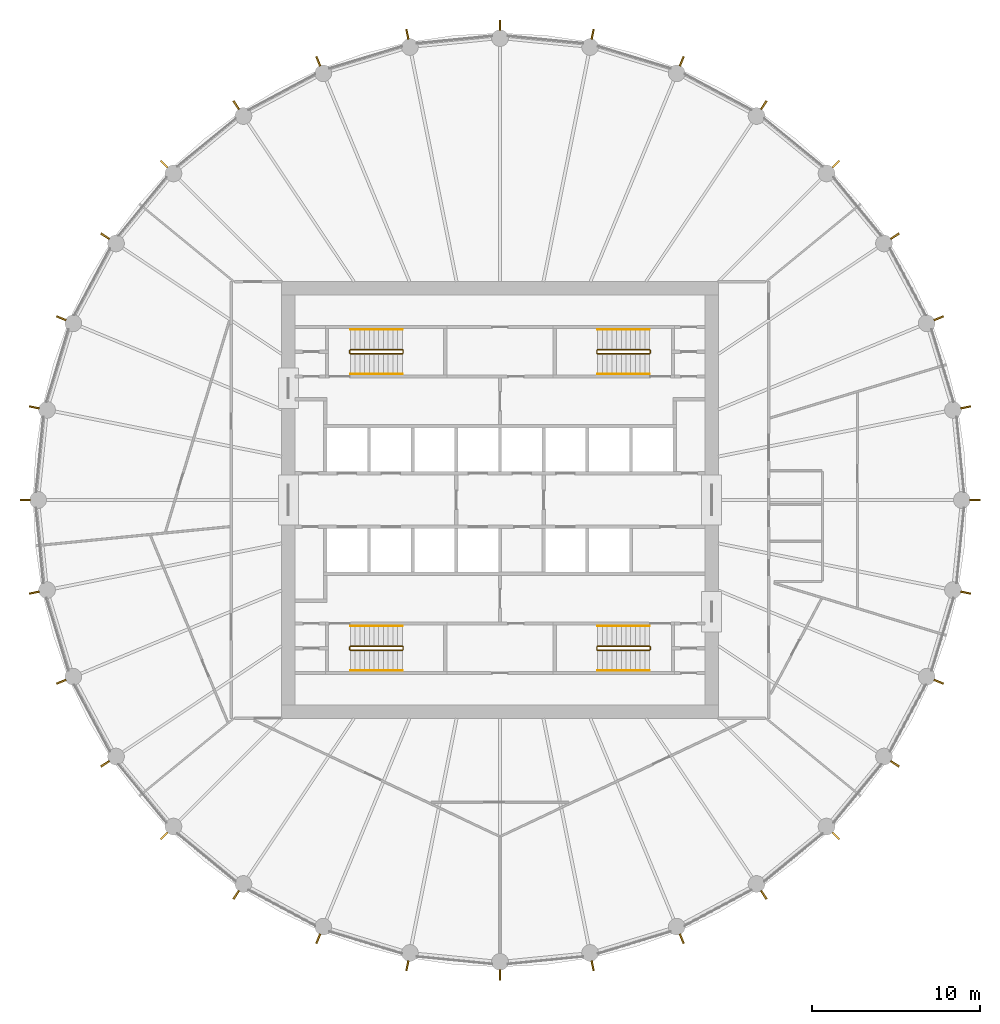
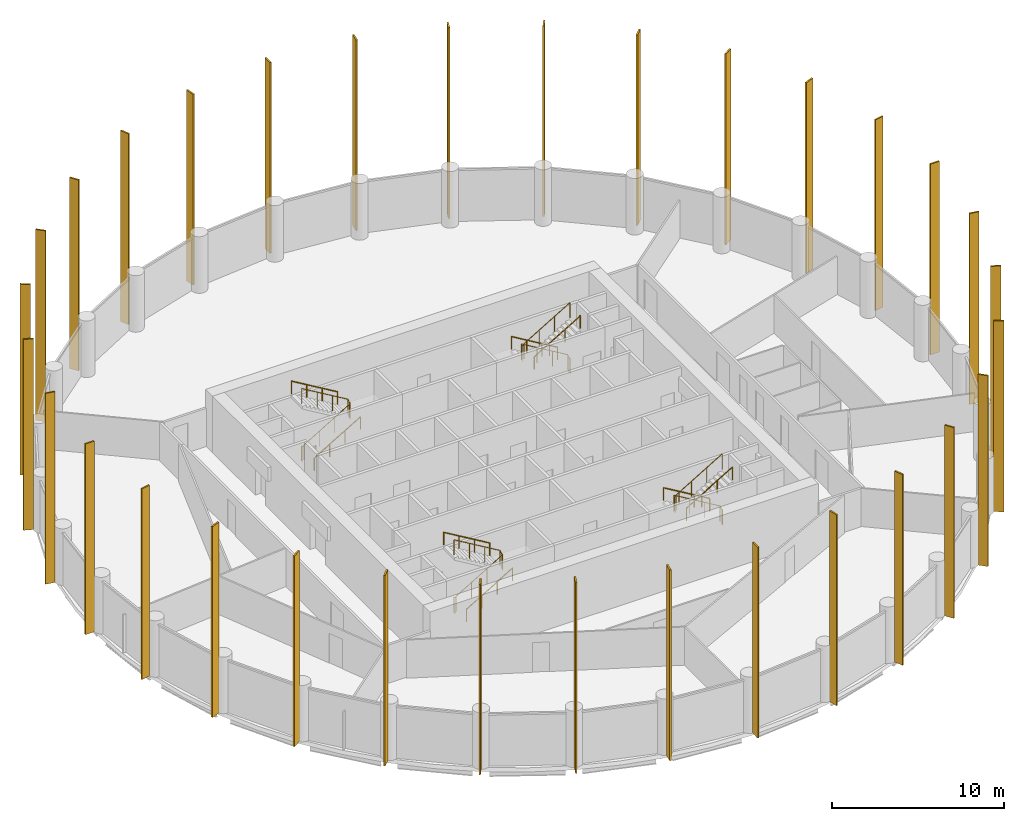
# One storey, part 8 of 8: 32 shading devices, 12 railings.
"""IFC4 building model written with IfcOpenShell, lengths in metres."""

import ifcopenshell
import ifcopenshell.guid

model = None  # the IFC model being written
_history = None  # IfcOwnerHistory: only IFC2X3 demands one
_inside = {}  # id of a spatial element -> (the spatial element, [elements in it])
_under = {}  # id of a project, library or spatial element -> (it, [spatial elements below it])
_declared = {}  # id of a project -> (the project, [libraries it declares])
_typed = {}  # id of a type object -> (the type object, [elements of that type])
_made_of = {}  # id of a material, layer set ... -> (it, [elements and type objects made of it])


def new_model(schema):
    """Start an empty IFC model of exactly this schema.

    Asked for "IFC4X3", IfcOpenShell would pick the latest addendum, in which some entities
    have other attributes; the version numbers below select the first issue.
    IFC2X3 requires an IfcOwnerHistory on every rooted entity: one is made here for all.
    """
    global model, _history
    if schema == "IFC4X3":
        model = ifcopenshell.file(schema_version=(4, 3, 0, 0))
    else:
        model = ifcopenshell.file(schema=schema)
    _inside.clear()
    _under.clear()
    _declared.clear()
    _typed.clear()
    _made_of.clear()
    _history = None
    if model.schema == "IFC2X3":
        org = make("IfcOrganization", Name="unknown")
        user = make(
            "IfcPersonAndOrganization",
            ThePerson=make("IfcPerson", FamilyName="unknown"),
            TheOrganization=org,
        )
        app = make(
            "IfcApplication",
            ApplicationDeveloper=org,
            Version="unknown",
            ApplicationFullName="unknown",
            ApplicationIdentifier="unknown",
        )
        _history = make(
            "IfcOwnerHistory",
            OwningUser=user,
            OwningApplication=app,
            ChangeAction="ADDED",
            CreationDate=0,
        )
    return model


def make(cls, **values):
    """One entity of the class cls with the attributes given. An attribute that is None is left unset."""
    return model.create_entity(
        cls, **{name: value for name, value in values.items() if value is not None}
    )


def rooted(cls, **values):
    """An entity with a GlobalId (a new one), such as an element, a storey or a relation."""
    return make(cls, GlobalId=ifcopenshell.guid.new(), OwnerHistory=_history, **values)


def si_unit(unit_type, name, prefix=None):
    """IfcSIUnit, for example si_unit("LENGTHUNIT", "METRE", prefix="MILLI")."""
    return make("IfcSIUnit", UnitType=unit_type, Prefix=prefix, Name=name)


def assignment(units):
    """IfcUnitAssignment: the units of a project."""
    return None if units is None else make("IfcUnitAssignment", Units=units)


def point(xyz):
    """IfcCartesianPoint."""
    return None if xyz is None else make("IfcCartesianPoint", Coordinates=xyz)


def direction(xyz):
    """IfcDirection."""
    return None if xyz is None else make("IfcDirection", DirectionRatios=xyz)


def frame(location, z_axis=None, x_axis=None):
    """IfcAxis2Placement3D, a coordinate frame: its origin and axes. An axis left out is left unset."""
    return make(
        "IfcAxis2Placement3D",
        Location=point(location),
        Axis=direction(z_axis),
        RefDirection=direction(x_axis),
    )


def frame_2d(location, x_axis=None):
    """IfcAxis2Placement2D, a coordinate frame in the plane: its origin and x axis."""
    return make(
        "IfcAxis2Placement2D", Location=point(location), RefDirection=direction(x_axis)
    )


def origin():
    """The frame at (0, 0, 0) with its axes left unset."""
    return frame((0.0, 0.0, 0.0))


def origin_2d():
    """The frame at (0, 0) in the plane with its x axis left unset."""
    return frame_2d((0.0, 0.0))


def place(relative_to, where):
    """IfcLocalPlacement: puts the frame where relative to a parent placement (None: the world)."""
    return make(
        "IfcLocalPlacement", PlacementRelTo=relative_to, RelativePlacement=where
    )


def context(
    kind, dimensions, precision=None, world=None, true_north=None, identifier=None
):
    """IfcGeometricRepresentationContext, for example the 3D "Model" context."""
    return make(
        "IfcGeometricRepresentationContext",
        ContextIdentifier=identifier,
        ContextType=kind,
        CoordinateSpaceDimension=dimensions,
        Precision=precision,
        WorldCoordinateSystem=world,
        TrueNorth=true_north,
    )


def subcontext(parent, identifier, kind, view, scale=None):
    """IfcGeometricRepresentationSubContext, for example "Body" below "Model"."""
    return make(
        "IfcGeometricRepresentationSubContext",
        ContextIdentifier=identifier,
        ContextType=kind,
        ParentContext=parent,
        TargetScale=scale,
        TargetView=view,
    )


def project(units=None, contexts=None):
    """IfcProject with its units and contexts."""
    return rooted(
        "IfcProject",
        Name="project",
        RepresentationContexts=contexts,
        UnitsInContext=assignment(units),
    )


def spatial(cls, under=None, at=None, **own):
    """A site, building, storey or space (cls), placed at a placement, below another one or the project."""
    s = rooted(cls, ObjectPlacement=at, **own)
    if under is not None:
        _under.setdefault(under.id(), (under, []))[1].append(s)
    return s


def profile(cls, at=None, kind="AREA", **sizes):
    """A parametric profile (cls). Its sizes go by their IFC names, for example OverallWidth=200.0."""
    return make(cls, ProfileType=kind, Position=at, **sizes)


def rectangle(**sizes):
    """IfcRectangleProfileDef."""
    return profile("IfcRectangleProfileDef", **sizes)


def circle(**sizes):
    """IfcCircleProfileDef."""
    return profile("IfcCircleProfileDef", **sizes)


def extrude(swept, where, along, depth):
    """IfcExtrudedAreaSolid: the profile swept, set in the frame where, extruded along a direction by depth."""
    return make(
        "IfcExtrudedAreaSolid",
        SweptArea=swept,
        Position=where,
        ExtrudedDirection=direction(along),
        Depth=depth,
    )


def shape(context_of_items, identifier, shape_type, items):
    """IfcShapeRepresentation: the items that make up one representation, for example the "Body"."""
    return make(
        "IfcShapeRepresentation",
        ContextOfItems=context_of_items,
        RepresentationIdentifier=identifier,
        RepresentationType=shape_type,
        Items=items,
    )


def material(Name=None, Category=None):
    """IfcMaterial."""
    return make("IfcMaterial", Name=Name, Category=Category)


def material_profile(
    of_material, cross_section, Name=None, Category=None, Priority=None
):
    """IfcMaterialProfile: a cross section and its material."""
    return make(
        "IfcMaterialProfile",
        Name=Name,
        Material=of_material,
        Profile=cross_section,
        Priority=Priority,
        Category=Category,
    )


def profile_set(profiles, Name=None, composite=None):
    """IfcMaterialProfileSet."""
    return make(
        "IfcMaterialProfileSet",
        Name=Name,
        MaterialProfiles=profiles,
        CompositeProfile=composite,
    )


def made_of(thing, what):
    """Note that an element or type object is made of a material, layer set ...; save() writes the relation."""
    if what is not None:
        _made_of.setdefault(what.id(), (what, []))[1].append(thing)
    return thing


def type_object(cls, material=None, **own):
    """A type object (cls), such as IfcWallType, which elements share."""
    return made_of(rooted(cls, **own), material)


def element(
    cls,
    number,
    at=None,
    inside=None,
    cuts=None,
    type_object=None,
    material=None,
    context=None,
    identifier="Body",
    shape_type=None,
    held_by="IfcProductDefinitionShape",
    body=None,
    shapes=None,
    **own,
):
    """One element of the class cls, such as IfcWall. Its Tag is "e" and its number.

    at: its placement. inside: the storey or other place that contains it. cuts: it is an
    opening in that element (IfcRelVoidsElement). A single representation is given by context,
    identifier, shape_type and body (its items); several are given by shapes. held_by: the class
    of the entity that holds the representations. save() writes the other relations.
    """
    e = rooted(cls, Tag="e%d" % number, ObjectPlacement=at, **own)
    if body is not None:
        shapes = [shape(context, identifier, shape_type, body)]
    if shapes is not None:
        e.Representation = make(held_by, Representations=shapes)
    if inside is not None:
        _inside.setdefault(inside.id(), (inside, []))[1].append(e)
    if cuts is not None:
        rooted(
            "IfcRelVoidsElement", RelatingBuildingElement=cuts, RelatedOpeningElement=e
        )
    if type_object is not None:
        _typed.setdefault(type_object.id(), (type_object, []))[1].append(e)
    return made_of(e, material)


def aggregate(whole, parts):
    """IfcRelAggregates: a whole, such as a stair, and the parts it consists of."""
    return rooted("IfcRelAggregates", RelatingObject=whole, RelatedObjects=parts)


def save(model, path):
    """Write the relations noted so far, then the file.

    IfcRelAggregates (storeys below a building ...), IfcRelContainedInSpatialStructure (elements
    in a storey), IfcRelDefinesByType, IfcRelAssociatesMaterial and IfcRelDeclares: one each for
    every whole, place, type object, material and project.
    """
    for whole, parts in _under.values():
        aggregate(whole, parts)
    for where, things in _inside.values():
        rooted(
            "IfcRelContainedInSpatialStructure",
            RelatedElements=things,
            RelatingStructure=where,
        )
    for kind, things in _typed.values():
        rooted("IfcRelDefinesByType", RelatedObjects=things, RelatingType=kind)
    for what, things in _made_of.values():
        rooted("IfcRelAssociatesMaterial", RelatedObjects=things, RelatingMaterial=what)
    for by, libraries in _declared.values():
        rooted("IfcRelDeclares", RelatingContext=by, RelatedDefinitions=libraries)
    model.write(path)


model = new_model("IFC4")

# Units and contexts
model_context = context("Model", 3, precision=1e-05, world=origin(), true_north=direction((0.0, 1.0)))
body_context = subcontext(model_context, "Body", "Model", "MODEL_VIEW")
ifc_project = project(units=[si_unit("LENGTHUNIT", "METRE"), si_unit("AREAUNIT", "SQUARE_METRE"), si_unit("VOLUMEUNIT", "CUBIC_METRE"), si_unit("PLANEANGLEUNIT", "RADIAN"), si_unit("MASSUNIT", "GRAM", prefix="KILO")], contexts=[model_context])

# Site, building, storey
site_placement = place(None, origin())
site = spatial("IfcSite", under=ifc_project, at=site_placement, CompositionType="ELEMENT")
building_placement = place(site_placement, origin())
building = spatial("IfcBuilding", under=site, at=building_placement, Name="Corvane Civic Tower", CompositionType="ELEMENT")
storey_placement = place(building_placement, frame((0.0, 0.0, 249.5)))
storey = spatial("IfcBuildingStorey", under=building, at=storey_placement, Name="L59", CompositionType="ELEMENT", Elevation=249.5)

# Railings
ifc_material_1 = material(Name="Steel ASTM A572 Gr 50", Category="steel")
railing_type_1 = type_object("IfcRailingType", Name="ST-GUARD-1100", PredefinedType="GUARDRAIL", material=ifc_material_1)
railing_1_placement = place(storey_placement, frame((8.949951171875, 8.75, 0.0)))
element("IfcRailing", 1, at=railing_1_placement, inside=storey, type_object=railing_type_1, Name="L59 ST1 stair guard 1", PredefinedType="GUARDRAIL", context=body_context, shape_type="SweptSolid", body=[
    extrude(circle(Radius=0.02392578125, at=origin_2d()), frame((0.0, 0.0, 1.076171875), z_axis=(0.0, 1.0, 0.0), x_axis=(-1.0, 0.0, 0.0)), (0.0, 0.0, 1.0), 0.14990234375),
    extrude(circle(Radius=0.02392578125, at=origin_2d()), frame((0.0, 0.14990234375, 1.076171875), z_axis=(-0.27628659633, 0.27628659633, 0.920506074601), x_axis=(-0.707106781187, -0.707106781187, 0.0)), (0.0, 0.0, 1.0), 0.18115234375),
    extrude(circle(Radius=0.02392578125, at=origin_2d()), frame((-0.050048828125, 0.199951171875, 1.24267578125), z_axis=(-0.859290745958, 0.0, 0.51148745235), x_axis=(0.0, -1.0, 0.0)), (0.0, 0.0, 1.0), 3.584228515625),
    extrude(circle(Radius=0.02392578125, at=origin_2d()), frame((-3.1298828125, 0.199951171875, 3.076171875), z_axis=(-0.707106781187, -0.707106781187, 0.0), x_axis=(0.707106781187, -0.707106781187, 0.0)), (0.0, 0.0, 1.0), 0.07080078125),
    extrude(circle(Radius=0.02392578125, at=origin_2d()), frame((-3.179931640625, 0.14990234375, 3.076171875), z_axis=(0.0, -1.0, 0.0), x_axis=(1.0, 0.0, 0.0)), (0.0, 0.0, 1.0), 0.14990234375),
    extrude(circle(Radius=0.02392578125, at=origin_2d()), frame((-3.179931640625, 0.0, 3.076171875), z_axis=(0.27628659633, -0.27628659633, 0.920506074601), x_axis=(0.707106781187, 0.707106781187, 0.0)), (0.0, 0.0, 1.0), 0.18115234375),
    extrude(circle(Radius=0.02392578125, at=origin_2d()), frame((-3.1298828125, -0.050048828125, 3.24267578125), z_axis=(0.859290745958, 0.0, 0.51148745235), x_axis=(0.0, 1.0, 0.0)), (0.0, 0.0, 1.0), 3.584228515625),
    extrude(circle(Radius=0.02099609375, at=origin_2d()), origin(), (0.0, 0.0, 1.0), 1.052001953125),
    extrude(circle(Radius=0.02099609375, at=origin_2d()), frame((0.0, 0.14990234375, 0.0)), (0.0, 0.0, 1.0), 1.052001953125),
    extrude(circle(Radius=0.02099609375, at=origin_2d()), frame((-0.050048828125, 0.199951171875, 0.166748046875)), (0.0, 0.0, 1.0), 1.052001953125),
    extrude(circle(Radius=0.02099609375, at=origin_2d()), frame((-1.07666015625, 0.199951171875, 0.77783203125)), (0.0, 0.0, 1.0), 1.052001953125),
    extrude(circle(Radius=0.02099609375, at=origin_2d()), frame((-2.103271484375, 0.199951171875, 1.388916015625)), (0.0, 0.0, 1.0), 1.052001953125),
    extrude(circle(Radius=0.02099609375, at=origin_2d()), frame((-3.1298828125, 0.199951171875, 2.0)), (0.0, 0.0, 1.0), 1.052001953125),
    extrude(circle(Radius=0.02099609375, at=origin_2d()), frame((-3.179931640625, 0.14990234375, 2.0)), (0.0, 0.0, 1.0), 1.052001953125),
    extrude(circle(Radius=0.02099609375, at=origin_2d()), frame((-3.179931640625, 0.0, 2.0)), (0.0, 0.0, 1.0), 1.052001953125),
    extrude(circle(Radius=0.02099609375, at=origin_2d()), frame((-3.1298828125, -0.050048828125, 2.166748046875)), (0.0, 0.0, 1.0), 1.052001953125),
    extrude(circle(Radius=0.02099609375, at=origin_2d()), frame((-2.103271484375, -0.050048828125, 2.77783203125)), (0.0, 0.0, 1.0), 1.052001953125),
    extrude(circle(Radius=0.02099609375, at=origin_2d()), frame((-1.07666015625, -0.050048828125, 3.388916015625)), (0.0, 0.0, 1.0), 1.052001953125),
    extrude(circle(Radius=0.02099609375, at=origin_2d()), frame((-0.050048828125, -0.050048828125, 4.0)), (0.0, 0.0, 1.0), 1.052001953125),
])
railing_2_placement = place(storey_placement, frame((8.949951171875, -8.89990234375, 0.0)))
element("IfcRailing", 2, at=railing_2_placement, inside=storey, type_object=railing_type_1, Name="L59 ST2 stair guard 1", PredefinedType="GUARDRAIL", context=body_context, shape_type="SweptSolid", body=[
    extrude(circle(Radius=0.02392578125, at=origin_2d()), frame((0.0, 0.0, 1.076171875), z_axis=(0.0, 1.0, 0.0), x_axis=(-1.0, 0.0, 0.0)), (0.0, 0.0, 1.0), 0.14990234375),
    extrude(circle(Radius=0.02392578125, at=origin_2d()), frame((0.0, 0.14990234375, 1.076171875), z_axis=(-0.27628659633, 0.27628659633, 0.920506074601), x_axis=(-0.707106781187, -0.707106781187, 0.0)), (0.0, 0.0, 1.0), 0.18115234375),
    extrude(circle(Radius=0.02392578125, at=origin_2d()), frame((-0.050048828125, 0.199951171875, 1.24267578125), z_axis=(-0.859290745958, 0.0, 0.51148745235), x_axis=(0.0, -1.0, 0.0)), (0.0, 0.0, 1.0), 3.584228515625),
    extrude(circle(Radius=0.02392578125, at=origin_2d()), frame((-3.1298828125, 0.199951171875, 3.076171875), z_axis=(-0.707106781187, -0.707106781187, 0.0), x_axis=(0.707106781187, -0.707106781187, 0.0)), (0.0, 0.0, 1.0), 0.07080078125),
    extrude(circle(Radius=0.02392578125, at=origin_2d()), frame((-3.179931640625, 0.14990234375, 3.076171875), z_axis=(0.0, -1.0, 0.0), x_axis=(1.0, 0.0, 0.0)), (0.0, 0.0, 1.0), 0.14990234375),
    extrude(circle(Radius=0.02392578125, at=origin_2d()), frame((-3.179931640625, 0.0, 3.076171875), z_axis=(0.27628659633, -0.27628659633, 0.920506074601), x_axis=(0.707106781187, 0.707106781187, 0.0)), (0.0, 0.0, 1.0), 0.18115234375),
    extrude(circle(Radius=0.02392578125, at=origin_2d()), frame((-3.1298828125, -0.050048828125, 3.24267578125), z_axis=(0.859290745958, 0.0, 0.51148745235), x_axis=(0.0, 1.0, 0.0)), (0.0, 0.0, 1.0), 3.584228515625),
    extrude(circle(Radius=0.02099609375, at=origin_2d()), origin(), (0.0, 0.0, 1.0), 1.052001953125),
    extrude(circle(Radius=0.02099609375, at=origin_2d()), frame((0.0, 0.14990234375, 0.0)), (0.0, 0.0, 1.0), 1.052001953125),
    extrude(circle(Radius=0.02099609375, at=origin_2d()), frame((-0.050048828125, 0.199951171875, 0.166748046875)), (0.0, 0.0, 1.0), 1.052001953125),
    extrude(circle(Radius=0.02099609375, at=origin_2d()), frame((-1.07666015625, 0.199951171875, 0.77783203125)), (0.0, 0.0, 1.0), 1.052001953125),
    extrude(circle(Radius=0.02099609375, at=origin_2d()), frame((-2.103271484375, 0.199951171875, 1.388916015625)), (0.0, 0.0, 1.0), 1.052001953125),
    extrude(circle(Radius=0.02099609375, at=origin_2d()), frame((-3.1298828125, 0.199951171875, 2.0)), (0.0, 0.0, 1.0), 1.052001953125),
    extrude(circle(Radius=0.02099609375, at=origin_2d()), frame((-3.179931640625, 0.14990234375, 2.0)), (0.0, 0.0, 1.0), 1.052001953125),
    extrude(circle(Radius=0.02099609375, at=origin_2d()), frame((-3.179931640625, 0.0, 2.0)), (0.0, 0.0, 1.0), 1.052001953125),
    extrude(circle(Radius=0.02099609375, at=origin_2d()), frame((-3.1298828125, -0.050048828125, 2.166748046875)), (0.0, 0.0, 1.0), 1.052001953125),
    extrude(circle(Radius=0.02099609375, at=origin_2d()), frame((-2.103271484375, -0.050048828125, 2.77783203125)), (0.0, 0.0, 1.0), 1.052001953125),
    extrude(circle(Radius=0.02099609375, at=origin_2d()), frame((-1.07666015625, -0.050048828125, 3.388916015625)), (0.0, 0.0, 1.0), 1.052001953125),
    extrude(circle(Radius=0.02099609375, at=origin_2d()), frame((-0.050048828125, -0.050048828125, 4.0)), (0.0, 0.0, 1.0), 1.052001953125),
])
railing_3_placement = place(storey_placement, frame((-8.949951171875, -8.75, 0.0)))
element("IfcRailing", 3, at=railing_3_placement, inside=storey, type_object=railing_type_1, Name="L59 ST3 stair guard 1", PredefinedType="GUARDRAIL", context=body_context, shape_type="SweptSolid", body=[
    extrude(circle(Radius=0.02392578125, at=origin_2d()), frame((0.0, 0.0, 1.076171875), z_axis=(0.0, -1.0, 0.0), x_axis=(1.0, 0.0, 0.0)), (0.0, 0.0, 1.0), 0.14990234375),
    extrude(circle(Radius=0.02392578125, at=origin_2d()), frame((0.0, -0.14990234375, 1.076171875), z_axis=(0.27628659633, -0.27628659633, 0.920506074601), x_axis=(0.707106781187, 0.707106781187, 0.0)), (0.0, 0.0, 1.0), 0.18115234375),
    extrude(circle(Radius=0.02392578125, at=origin_2d()), frame((0.050048828125, -0.199951171875, 1.24267578125), z_axis=(0.859290745958, 0.0, 0.51148745235), x_axis=(0.0, 1.0, 0.0)), (0.0, 0.0, 1.0), 3.584228515625),
    extrude(circle(Radius=0.02392578125, at=origin_2d()), frame((3.1298828125, -0.199951171875, 3.076171875), z_axis=(0.707106781187, 0.707106781187, 0.0), x_axis=(-0.707106781187, 0.707106781187, 0.0)), (0.0, 0.0, 1.0), 0.07080078125),
    extrude(circle(Radius=0.02392578125, at=origin_2d()), frame((3.179931640625, -0.14990234375, 3.076171875), z_axis=(0.0, 1.0, 0.0), x_axis=(-1.0, 0.0, 0.0)), (0.0, 0.0, 1.0), 0.14990234375),
    extrude(circle(Radius=0.02392578125, at=origin_2d()), frame((3.179931640625, 0.0, 3.076171875), z_axis=(-0.27628659633, 0.27628659633, 0.920506074601), x_axis=(-0.707106781187, -0.707106781187, 0.0)), (0.0, 0.0, 1.0), 0.18115234375),
    extrude(circle(Radius=0.02392578125, at=origin_2d()), frame((3.1298828125, 0.050048828125, 3.24267578125), z_axis=(-0.859290745958, 0.0, 0.51148745235), x_axis=(0.0, -1.0, 0.0)), (0.0, 0.0, 1.0), 3.584228515625),
    extrude(circle(Radius=0.02099609375, at=origin_2d()), origin(), (0.0, 0.0, 1.0), 1.052001953125),
    extrude(circle(Radius=0.02099609375, at=origin_2d()), frame((0.0, -0.14990234375, 0.0)), (0.0, 0.0, 1.0), 1.052001953125),
    extrude(circle(Radius=0.02099609375, at=origin_2d()), frame((0.050048828125, -0.199951171875, 0.166748046875)), (0.0, 0.0, 1.0), 1.052001953125),
    extrude(circle(Radius=0.02099609375, at=origin_2d()), frame((1.07666015625, -0.199951171875, 0.77783203125)), (0.0, 0.0, 1.0), 1.052001953125),
    extrude(circle(Radius=0.02099609375, at=origin_2d()), frame((2.103271484375, -0.199951171875, 1.388916015625)), (0.0, 0.0, 1.0), 1.052001953125),
    extrude(circle(Radius=0.02099609375, at=origin_2d()), frame((3.1298828125, -0.199951171875, 2.0)), (0.0, 0.0, 1.0), 1.052001953125),
    extrude(circle(Radius=0.02099609375, at=origin_2d()), frame((3.179931640625, -0.14990234375, 2.0)), (0.0, 0.0, 1.0), 1.052001953125),
    extrude(circle(Radius=0.02099609375, at=origin_2d()), frame((3.179931640625, 0.0, 2.0)), (0.0, 0.0, 1.0), 1.052001953125),
    extrude(circle(Radius=0.02099609375, at=origin_2d()), frame((3.1298828125, 0.050048828125, 2.166748046875)), (0.0, 0.0, 1.0), 1.052001953125),
    extrude(circle(Radius=0.02099609375, at=origin_2d()), frame((2.103271484375, 0.050048828125, 2.77783203125)), (0.0, 0.0, 1.0), 1.052001953125),
    extrude(circle(Radius=0.02099609375, at=origin_2d()), frame((1.07666015625, 0.050048828125, 3.388916015625)), (0.0, 0.0, 1.0), 1.052001953125),
    extrude(circle(Radius=0.02099609375, at=origin_2d()), frame((0.050048828125, 0.050048828125, 4.0)), (0.0, 0.0, 1.0), 1.052001953125),
])
railing_4_placement = place(storey_placement, frame((-8.949951171875, 8.89990234375, 0.0)))
element("IfcRailing", 4, at=railing_4_placement, inside=storey, type_object=railing_type_1, Name="L59 ST4 stair guard 1", PredefinedType="GUARDRAIL", context=body_context, shape_type="SweptSolid", body=[
    extrude(circle(Radius=0.02392578125, at=origin_2d()), frame((0.0, 0.0, 1.076171875), z_axis=(0.0, -1.0, 0.0), x_axis=(1.0, 0.0, 0.0)), (0.0, 0.0, 1.0), 0.14990234375),
    extrude(circle(Radius=0.02392578125, at=origin_2d()), frame((0.0, -0.14990234375, 1.076171875), z_axis=(0.27628659633, -0.27628659633, 0.920506074601), x_axis=(0.707106781187, 0.707106781187, 0.0)), (0.0, 0.0, 1.0), 0.18115234375),
    extrude(circle(Radius=0.02392578125, at=origin_2d()), frame((0.050048828125, -0.199951171875, 1.24267578125), z_axis=(0.859290745958, 0.0, 0.51148745235), x_axis=(0.0, 1.0, 0.0)), (0.0, 0.0, 1.0), 3.584228515625),
    extrude(circle(Radius=0.02392578125, at=origin_2d()), frame((3.1298828125, -0.199951171875, 3.076171875), z_axis=(0.707106781187, 0.707106781187, 0.0), x_axis=(-0.707106781187, 0.707106781187, 0.0)), (0.0, 0.0, 1.0), 0.07080078125),
    extrude(circle(Radius=0.02392578125, at=origin_2d()), frame((3.179931640625, -0.14990234375, 3.076171875), z_axis=(0.0, 1.0, 0.0), x_axis=(-1.0, 0.0, 0.0)), (0.0, 0.0, 1.0), 0.14990234375),
    extrude(circle(Radius=0.02392578125, at=origin_2d()), frame((3.179931640625, 0.0, 3.076171875), z_axis=(-0.27628659633, 0.27628659633, 0.920506074601), x_axis=(-0.707106781187, -0.707106781187, 0.0)), (0.0, 0.0, 1.0), 0.18115234375),
    extrude(circle(Radius=0.02392578125, at=origin_2d()), frame((3.1298828125, 0.050048828125, 3.24267578125), z_axis=(-0.859290745958, 0.0, 0.51148745235), x_axis=(0.0, -1.0, 0.0)), (0.0, 0.0, 1.0), 3.584228515625),
    extrude(circle(Radius=0.02099609375, at=origin_2d()), origin(), (0.0, 0.0, 1.0), 1.052001953125),
    extrude(circle(Radius=0.02099609375, at=origin_2d()), frame((0.0, -0.14990234375, 0.0)), (0.0, 0.0, 1.0), 1.052001953125),
    extrude(circle(Radius=0.02099609375, at=origin_2d()), frame((0.050048828125, -0.199951171875, 0.166748046875)), (0.0, 0.0, 1.0), 1.052001953125),
    extrude(circle(Radius=0.02099609375, at=origin_2d()), frame((1.07666015625, -0.199951171875, 0.77783203125)), (0.0, 0.0, 1.0), 1.052001953125),
    extrude(circle(Radius=0.02099609375, at=origin_2d()), frame((2.103271484375, -0.199951171875, 1.388916015625)), (0.0, 0.0, 1.0), 1.052001953125),
    extrude(circle(Radius=0.02099609375, at=origin_2d()), frame((3.1298828125, -0.199951171875, 2.0)), (0.0, 0.0, 1.0), 1.052001953125),
    extrude(circle(Radius=0.02099609375, at=origin_2d()), frame((3.179931640625, -0.14990234375, 2.0)), (0.0, 0.0, 1.0), 1.052001953125),
    extrude(circle(Radius=0.02099609375, at=origin_2d()), frame((3.179931640625, 0.0, 2.0)), (0.0, 0.0, 1.0), 1.052001953125),
    extrude(circle(Radius=0.02099609375, at=origin_2d()), frame((3.1298828125, 0.050048828125, 2.166748046875)), (0.0, 0.0, 1.0), 1.052001953125),
    extrude(circle(Radius=0.02099609375, at=origin_2d()), frame((2.103271484375, 0.050048828125, 2.77783203125)), (0.0, 0.0, 1.0), 1.052001953125),
    extrude(circle(Radius=0.02099609375, at=origin_2d()), frame((1.07666015625, 0.050048828125, 3.388916015625)), (0.0, 0.0, 1.0), 1.052001953125),
    extrude(circle(Radius=0.02099609375, at=origin_2d()), frame((0.050048828125, 0.050048828125, 4.0)), (0.0, 0.0, 1.0), 1.052001953125),
])
ifc_material_2 = material(Name="Steel ASTM A572 Gr 50", Category="steel")
railing_type_2 = type_object("IfcRailingType", Name="ST-HANDRAIL-900", PredefinedType="HANDRAIL", material=ifc_material_2)
railing_5_placement = place(storey_placement, frame((8.89990234375, 10.14990234375, 0.166748046875)))
element("IfcRailing", 5, at=railing_5_placement, inside=storey, type_object=railing_type_2, Name="L59 ST1 stair handrail 1", PredefinedType="HANDRAIL", context=body_context, shape_type="SweptSolid", body=[
    extrude(circle(Radius=0.02392578125, at=origin_2d()), frame((0.0, 0.0, 0.8759765625), z_axis=(-0.859290745958, 0.0, 0.51148745235), x_axis=(0.0, -1.0, 0.0)), (0.0, 0.0, 1.0), 3.584228515625),
    extrude(circle(Radius=0.02099609375, at=origin_2d()), origin(), (0.0, 0.0, 1.0), 0.851806640625),
    extrude(circle(Radius=0.02099609375, at=origin_2d()), frame((-1.026611328125, 0.0, 0.611083984375)), (0.0, 0.0, 1.0), 0.851806640625),
    extrude(circle(Radius=0.02099609375, at=origin_2d()), frame((-2.05322265625, 0.0, 1.22216796875)), (0.0, 0.0, 1.0), 0.851806640625),
    extrude(circle(Radius=0.02099609375, at=origin_2d()), frame((-3.079833984375, 0.0, 1.833251953125)), (0.0, 0.0, 1.0), 0.851806640625),
])
railing_6_placement = place(storey_placement, frame((5.820068359375, 7.5, 2.166748046875)))
element("IfcRailing", 6, at=railing_6_placement, inside=storey, type_object=railing_type_2, Name="L59 ST1 stair handrail 2", PredefinedType="HANDRAIL", context=body_context, shape_type="SweptSolid", body=[
    extrude(circle(Radius=0.02392578125, at=origin_2d()), frame((0.0, 0.0, 0.8759765625), z_axis=(0.859290745958, 0.0, 0.51148745235), x_axis=(0.0, 1.0, 0.0)), (0.0, 0.0, 1.0), 3.584228515625),
    extrude(circle(Radius=0.02099609375, at=origin_2d()), origin(), (0.0, 0.0, 1.0), 0.851806640625),
    extrude(circle(Radius=0.02099609375, at=origin_2d()), frame((1.026611328125, 0.0, 0.611083984375)), (0.0, 0.0, 1.0), 0.851806640625),
    extrude(circle(Radius=0.02099609375, at=origin_2d()), frame((2.05322265625, 0.0, 1.22216796875)), (0.0, 0.0, 1.0), 0.851806640625),
    extrude(circle(Radius=0.02099609375, at=origin_2d()), frame((3.079833984375, 0.0, 1.833251953125)), (0.0, 0.0, 1.0), 0.851806640625),
])
railing_7_placement = place(storey_placement, frame((8.89990234375, -7.5, 0.166748046875)))
element("IfcRailing", 7, at=railing_7_placement, inside=storey, type_object=railing_type_2, Name="L59 ST2 stair handrail 1", PredefinedType="HANDRAIL", context=body_context, shape_type="SweptSolid", body=[
    extrude(circle(Radius=0.02392578125, at=origin_2d()), frame((0.0, 0.0, 0.8759765625), z_axis=(-0.859290745958, 0.0, 0.51148745235), x_axis=(0.0, -1.0, 0.0)), (0.0, 0.0, 1.0), 3.584228515625),
    extrude(circle(Radius=0.02099609375, at=origin_2d()), origin(), (0.0, 0.0, 1.0), 0.851806640625),
    extrude(circle(Radius=0.02099609375, at=origin_2d()), frame((-1.026611328125, 0.0, 0.611083984375)), (0.0, 0.0, 1.0), 0.851806640625),
    extrude(circle(Radius=0.02099609375, at=origin_2d()), frame((-2.05322265625, 0.0, 1.22216796875)), (0.0, 0.0, 1.0), 0.851806640625),
    extrude(circle(Radius=0.02099609375, at=origin_2d()), frame((-3.079833984375, 0.0, 1.833251953125)), (0.0, 0.0, 1.0), 0.851806640625),
])
for number, where, name in (
    (8, (5.820068359375, -10.14990234375, 2.166748046875), "L59 ST2 stair handrail 2"),
    (9, (-8.89990234375, -10.14990234375, 0.166748046875), "L59 ST3 stair handrail 1"),
):
    element("IfcRailing", number, at=place(storey_placement, frame(where)), inside=storey, type_object=railing_type_2, Name=name, PredefinedType="HANDRAIL", context=body_context, shape_type="SweptSolid", body=[
        extrude(circle(Radius=0.02392578125, at=origin_2d()), frame((0.0, 0.0, 0.8759765625), z_axis=(0.859290745958, 0.0, 0.51148745235), x_axis=(0.0, 1.0, 0.0)), (0.0, 0.0, 1.0), 3.584228515625),
        extrude(circle(Radius=0.02099609375, at=origin_2d()), origin(), (0.0, 0.0, 1.0), 0.851806640625),
        extrude(circle(Radius=0.02099609375, at=origin_2d()), frame((1.026611328125, 0.0, 0.611083984375)), (0.0, 0.0, 1.0), 0.851806640625),
        extrude(circle(Radius=0.02099609375, at=origin_2d()), frame((2.05322265625, 0.0, 1.22216796875)), (0.0, 0.0, 1.0), 0.851806640625),
        extrude(circle(Radius=0.02099609375, at=origin_2d()), frame((3.079833984375, 0.0, 1.833251953125)), (0.0, 0.0, 1.0), 0.851806640625),
    ])
railing_8_placement = place(storey_placement, frame((-5.820068359375, -7.5, 2.166748046875)))
element("IfcRailing", 10, at=railing_8_placement, inside=storey, type_object=railing_type_2, Name="L59 ST3 stair handrail 2", PredefinedType="HANDRAIL", context=body_context, shape_type="SweptSolid", body=[
    extrude(circle(Radius=0.02392578125, at=origin_2d()), frame((0.0, 0.0, 0.8759765625), z_axis=(-0.859290745958, 0.0, 0.51148745235), x_axis=(0.0, -1.0, 0.0)), (0.0, 0.0, 1.0), 3.584228515625),
    extrude(circle(Radius=0.02099609375, at=origin_2d()), origin(), (0.0, 0.0, 1.0), 0.851806640625),
    extrude(circle(Radius=0.02099609375, at=origin_2d()), frame((-1.026611328125, 0.0, 0.611083984375)), (0.0, 0.0, 1.0), 0.851806640625),
    extrude(circle(Radius=0.02099609375, at=origin_2d()), frame((-2.05322265625, 0.0, 1.22216796875)), (0.0, 0.0, 1.0), 0.851806640625),
    extrude(circle(Radius=0.02099609375, at=origin_2d()), frame((-3.079833984375, 0.0, 1.833251953125)), (0.0, 0.0, 1.0), 0.851806640625),
])
railing_9_placement = place(storey_placement, frame((-8.89990234375, 7.5, 0.166748046875)))
element("IfcRailing", 11, at=railing_9_placement, inside=storey, type_object=railing_type_2, Name="L59 ST4 stair handrail 1", PredefinedType="HANDRAIL", context=body_context, shape_type="SweptSolid", body=[
    extrude(circle(Radius=0.02392578125, at=origin_2d()), frame((0.0, 0.0, 0.8759765625), z_axis=(0.859290745958, 0.0, 0.51148745235), x_axis=(0.0, 1.0, 0.0)), (0.0, 0.0, 1.0), 3.584228515625),
    extrude(circle(Radius=0.02099609375, at=origin_2d()), origin(), (0.0, 0.0, 1.0), 0.851806640625),
    extrude(circle(Radius=0.02099609375, at=origin_2d()), frame((1.026611328125, 0.0, 0.611083984375)), (0.0, 0.0, 1.0), 0.851806640625),
    extrude(circle(Radius=0.02099609375, at=origin_2d()), frame((2.05322265625, 0.0, 1.22216796875)), (0.0, 0.0, 1.0), 0.851806640625),
    extrude(circle(Radius=0.02099609375, at=origin_2d()), frame((3.079833984375, 0.0, 1.833251953125)), (0.0, 0.0, 1.0), 0.851806640625),
])
railing_10_placement = place(storey_placement, frame((-5.820068359375, 10.14990234375, 2.166748046875)))
element("IfcRailing", 12, at=railing_10_placement, inside=storey, type_object=railing_type_2, Name="L59 ST4 stair handrail 2", PredefinedType="HANDRAIL", context=body_context, shape_type="SweptSolid", body=[
    extrude(circle(Radius=0.02392578125, at=origin_2d()), frame((0.0, 0.0, 0.8759765625), z_axis=(-0.859290745958, 0.0, 0.51148745235), x_axis=(0.0, -1.0, 0.0)), (0.0, 0.0, 1.0), 3.584228515625),
    extrude(circle(Radius=0.02099609375, at=origin_2d()), origin(), (0.0, 0.0, 1.0), 0.851806640625),
    extrude(circle(Radius=0.02099609375, at=origin_2d()), frame((-1.026611328125, 0.0, 0.611083984375)), (0.0, 0.0, 1.0), 0.851806640625),
    extrude(circle(Radius=0.02099609375, at=origin_2d()), frame((-2.05322265625, 0.0, 1.22216796875)), (0.0, 0.0, 1.0), 0.851806640625),
    extrude(circle(Radius=0.02099609375, at=origin_2d()), frame((-3.079833984375, 0.0, 1.833251953125)), (0.0, 0.0, 1.0), 0.851806640625),
])

# Shading devices
ifc_material_3 = material(Name="Anodised aluminium bronze", Category="aluminium")
ifc_material_profile = material_profile(ifc_material_3, rectangle(XDim=0.10009765625, YDim=0.60009765625, at=origin_2d()), Name="TOWER FIN STACK 100x600 BRONZE")
ifc_profile_set = profile_set([ifc_material_profile], Name="Anodised aluminium bronze")
shading_device_type = type_object("IfcShadingDeviceType", Name="TOWER FIN STACK 100x600 BRONZE", PredefinedType="USERDEFINED", material=ifc_profile_set)
for number, where, z_axis, x_axis, name in (
    (13, (0.0, 28.280029296875, 0.0), (0.0, 0.0, 1.0), (1.0, 0.0, 0.0), "Fin 01 L59 to L61"),
    (14, (5.51708984375, 27.736572265625, 0.0), (0.0, 0.0, 1.0), (0.980785280403, -0.195090322016, 0.0), "Fin 02 L59 to L61"),
    (15, (10.822265625, 26.127197265625, 0.0), (0.0, 0.0, 1.0), (0.923879532511, -0.382683432365, 0.0), "Fin 03 L59 to L61"),
    (16, (15.71142578125, 23.513916015625, 0.0), (0.0, 0.0, 1.0), (0.831469612303, -0.55557023302, 0.0), "Fin 04 L59 to L61"),
    (17, (19.9970703125, 19.9970703125, 0.0), (0.0, 0.0, 1.0), (0.707106781187, -0.707106781187, 0.0), "Fin 05 L59 to L61"),
    (18, (23.513916015625, 15.71142578125, 0.0), (0.0, 0.0, 1.0), (0.55557023302, -0.831469612303, 0.0), "Fin 06 L59 to L61"),
    (19, (26.127197265625, 10.822265625, 0.0), (0.0, 0.0, 1.0), (0.382683432365, -0.923879532511, 0.0), "Fin 07 L59 to L61"),
    (20, (27.736572265625, 5.51708984375, 0.0), (0.0, 0.0, 1.0), (0.195090322016, -0.980785280403, 0.0), "Fin 08 L59 to L61"),
    (21, (28.280029296875, 0.0, 0.0), (0.0, 0.0, 1.0), (0.0, -1.0, 0.0), "Fin 09 L59 to L61"),
    (22, (27.736572265625, -5.51708984375, 0.0), (0.0, 0.0, 1.0), (-0.195090322016, -0.980785280403, 0.0), "Fin 10 L59 to L61"),
    (23, (26.127197265625, -10.822265625, 0.0), (0.0, 0.0, 1.0), (-0.382683432365, -0.923879532511, 0.0), "Fin 11 L59 to L61"),
    (24, (23.513916015625, -15.71142578125, 0.0), (0.0, 0.0, 1.0), (-0.55557023302, -0.831469612303, 0.0), "Fin 12 L59 to L61"),
    (25, (19.9970703125, -19.9970703125, 0.0), (0.0, 0.0, 1.0), (-0.707106781187, -0.707106781187, 0.0), "Fin 13 L59 to L61"),
    (26, (15.71142578125, -23.513916015625, 0.0), (0.0, 0.0, 1.0), (-0.831469612303, -0.55557023302, 0.0), "Fin 14 L59 to L61"),
    (27, (10.822265625, -26.127197265625, 0.0), (0.0, 0.0, 1.0), (-0.923879532511, -0.382683432365, 0.0), "Fin 15 L59 to L61"),
    (28, (5.51708984375, -27.736572265625, 0.0), (0.0, 0.0, 1.0), (-0.980785280403, -0.195090322016, 0.0), "Fin 16 L59 to L61"),
    (29, (0.0, -28.280029296875, 0.0), (0.0, 0.0, 1.0), (-1.0, 0.0, 0.0), "Fin 17 L59 to L61"),
    (30, (-5.51708984375, -27.736572265625, 0.0), (0.0, 0.0, 1.0), (-0.980785280403, 0.195090322016, 0.0), "Fin 18 L59 to L61"),
    (31, (-10.822265625, -26.127197265625, 0.0), (0.0, 0.0, 1.0), (-0.923879532511, 0.382683432365, 0.0), "Fin 19 L59 to L61"),
    (32, (-15.71142578125, -23.513916015625, 0.0), (0.0, 0.0, 1.0), (-0.831469612303, 0.55557023302, 0.0), "Fin 20 L59 to L61"),
    (33, (-19.9970703125, -19.9970703125, 0.0), (0.0, 0.0, 1.0), (-0.707106781187, 0.707106781187, 0.0), "Fin 21 L59 to L61"),
    (34, (-23.513916015625, -15.71142578125, 0.0), (0.0, 0.0, 1.0), (-0.55557023302, 0.831469612303, 0.0), "Fin 22 L59 to L61"),
    (35, (-26.127197265625, -10.822265625, 0.0), (0.0, 0.0, 1.0), (-0.382683432365, 0.923879532511, 0.0), "Fin 23 L59 to L61"),
    (36, (-27.736572265625, -5.51708984375, 0.0), (0.0, 0.0, 1.0), (-0.195090322016, 0.980785280403, 0.0), "Fin 24 L59 to L61"),
    (37, (-28.280029296875, 0.0, 0.0), (0.0, 0.0, 1.0), (0.0, 1.0, 0.0), "Fin 25 L59 to L61"),
    (38, (-27.736572265625, 5.51708984375, 0.0), (0.0, 0.0, 1.0), (0.195090322016, 0.980785280403, 0.0), "Fin 26 L59 to L61"),
    (39, (-26.127197265625, 10.822265625, 0.0), (0.0, 0.0, 1.0), (0.382683432365, 0.923879532511, 0.0), "Fin 27 L59 to L61"),
    (40, (-23.513916015625, 15.71142578125, 0.0), (0.0, 0.0, 1.0), (0.55557023302, 0.831469612303, 0.0), "Fin 28 L59 to L61"),
    (41, (-19.9970703125, 19.9970703125, 0.0), (0.0, 0.0, 1.0), (0.707106781187, 0.707106781187, 0.0), "Fin 29 L59 to L61"),
    (42, (-15.71142578125, 23.513916015625, 0.0), (0.0, 0.0, 1.0), (0.831469612303, 0.55557023302, 0.0), "Fin 30 L59 to L61"),
    (43, (-10.822265625, 26.127197265625, 0.0), (0.0, 0.0, 1.0), (0.923879532511, 0.382683432365, 0.0), "Fin 31 L59 to L61"),
    (44, (-5.51708984375, 27.736572265625, 0.0), (0.0, 0.0, 1.0), (0.980785280403, 0.195090322016, 0.0), "Fin 32 L59 to L61"),
):
    element("IfcShadingDevice", number, at=place(storey_placement, frame(where, z_axis=z_axis, x_axis=x_axis)), inside=storey, type_object=shading_device_type, Name=name, ObjectType="FIN", PredefinedType="USERDEFINED", context=body_context, shape_type="SweptSolid", body=[
        extrude(rectangle(XDim=0.10009765625, YDim=0.60009765625, at=origin_2d()), origin(), (0.0, 0.0, 1.0), 13.5),
    ])

save(model, "model.ifc")
